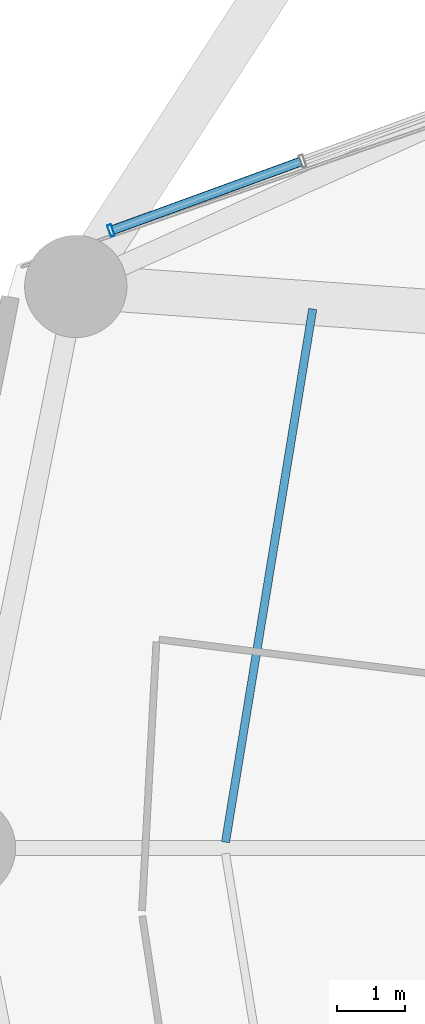
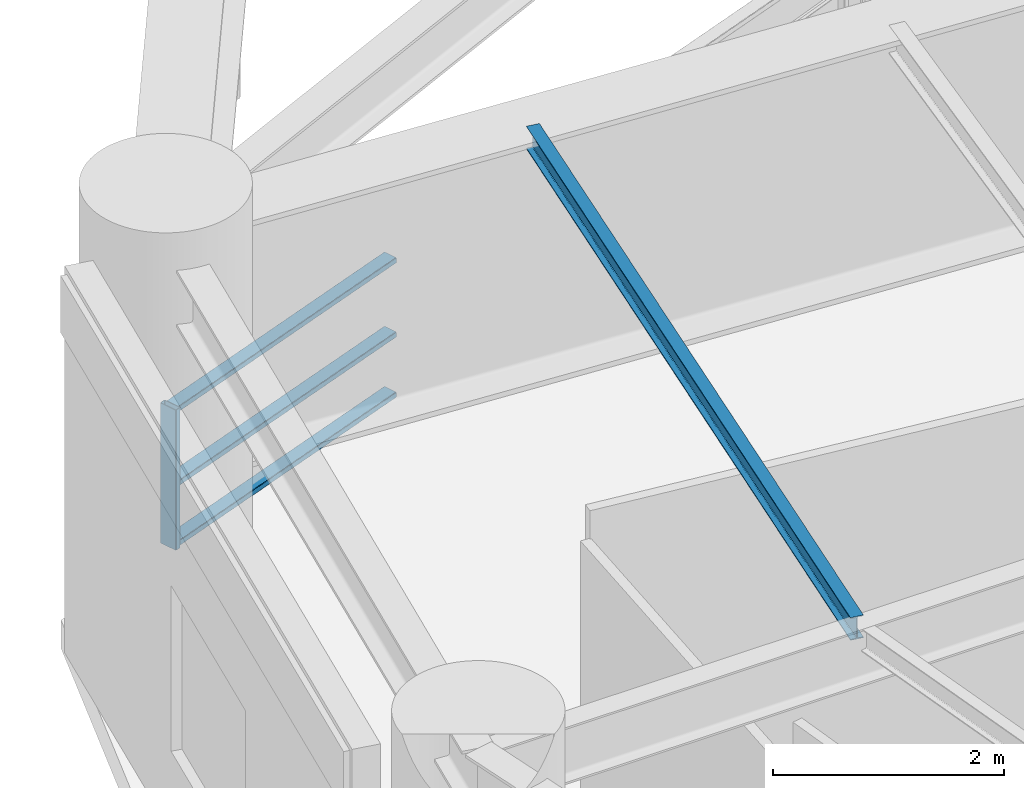
# One storey, part 15 of 53: 4 members, 1 beam, 1 element without a shape of its own.
"""IFC4 building model written with IfcOpenShell, lengths in metres."""

from ifc_helpers import new_model, si_unit, direction, frame, origin, origin_2d, place, context, subcontext, project, spatial, hollow_rectangle, i_section, extrude, material, layer, layer_set, material_profile, profile_set, type_object, element, aggregate, save


model = new_model("IFC4")

# Units and contexts
model_context = context("Model", 3, precision=1e-05, world=origin(), true_north=direction((0.0, 1.0)))
body_context = subcontext(model_context, "Body", "Model", "MODEL_VIEW")
ifc_project = project(units=[si_unit("LENGTHUNIT", "METRE"), si_unit("AREAUNIT", "SQUARE_METRE"), si_unit("VOLUMEUNIT", "CUBIC_METRE"), si_unit("PLANEANGLEUNIT", "RADIAN"), si_unit("MASSUNIT", "GRAM", prefix="KILO")], contexts=[model_context])

# Site, building, storey
site_placement = place(None, origin())
site = spatial("IfcSite", under=ifc_project, at=site_placement, CompositionType="ELEMENT")
building_placement = place(site_placement, origin())
building = spatial("IfcBuilding", under=site, at=building_placement, Name="Kelanora Arch Commons", CompositionType="ELEMENT")
storey_placement = place(building_placement, frame((0.0, 0.0, 9.0)))
storey = spatial("IfcBuildingStorey", under=building, at=storey_placement, Name="L02", CompositionType="ELEMENT", Elevation=9.0)

# Beam
ifc_material_1 = material(Name="Steel S355", Category="steel")
ifc_material_profile_1 = material_profile(ifc_material_1, i_section(OverallWidth=0.1201171875, OverallDepth=0.239990234375, WebThickness=0.006103515625, FlangeThickness=0.009765625, FilletRadius=0.014892578125, at=origin_2d()), Name="IPE240")
ifc_profile_set_1 = profile_set([ifc_material_profile_1], Name="Steel S355")
beam_type = type_object("IfcBeamType", Name="BM-JST-02", PredefinedType="JOIST", material=ifc_profile_set_1)
beam_placement = place(storey_placement, frame((52.02880859375, 65.90478515625, 3.97998046875), z_axis=(-0.161400737199, -0.986888951216, 0.0), x_axis=(0.986888951216, -0.161400737199, 0.0)))
element("IfcBeam", 1, at=beam_placement, inside=storey, type_object=beam_type, Name="Secondary Chord Joist BJC-16 L02", PredefinedType="JOIST", context=body_context, shape_type="SweptSolid", body=[
    extrude(i_section(OverallWidth=0.1201171875, OverallDepth=0.239990234375, WebThickness=0.006103515625, FlangeThickness=0.009765625, FilletRadius=0.014892578125, at=origin_2d()), origin(), (0.0, 0.0, 1.0), 7.9248046875),
])

# Curtain wall, members
ifc_material_2 = material(Name="Terracotta ceramic-fritted low-E glass and aluminium", Category="masonry")
ifc_layer = layer(ifc_material_2, 0.2099609375)
ifc_layer_set = layer_set([ifc_layer], Name="Terracotta ceramic-fritted low-E glass and aluminium")
curtain_wall_type = type_object("IfcCurtainWallType", Name="CW-SYS-04", PredefinedType="NOTDEFINED", material=ifc_layer_set)
curtain_wall_placement = place(storey_placement, origin())
curtain_wall = element("IfcCurtainWall", 2, at=curtain_wall_placement, inside=storey, type_object=curtain_wall_type, Name="Unitised Curtain Wall L02-B07", PredefinedType="NOTDEFINED")
ifc_material_3 = material(Name="Powder-coated aluminium terracotta", Category="masonry")
ifc_material_profile_2 = material_profile(ifc_material_3, hollow_rectangle(XDim=0.179931640625, YDim=0.06005859375, WallThickness=0.0048828125, InnerFilletRadius=0.0048828125, OuterFilletRadius=0.010009765625, at=origin_2d()), Name="CWM180x60")
ifc_profile_set_2 = profile_set([ifc_material_profile_2], Name="Powder-coated aluminium terracotta")
member_type_1 = type_object("IfcMemberType", Name="CWM-HVY", PredefinedType="MULLION", material=ifc_profile_set_2)
member_1_placement = place(storey_placement, frame((49.071044921875, 67.05419921875, 0.0), z_axis=(0.0, 0.0, 1.0), x_axis=(0.342318215206, -0.939584077951, 0.0)))
member_1 = element("IfcMember", 3, at=member_1_placement, type_object=member_type_1, Name="CW-04 mullion 4", PredefinedType="MULLION", context=body_context, shape_type="SweptSolid", body=[
    extrude(hollow_rectangle(XDim=0.179931640625, YDim=0.06005859375, WallThickness=0.0048828125, InnerFilletRadius=0.0048828125, OuterFilletRadius=0.010009765625, at=origin_2d()), origin(), (0.0, 0.0, 1.0), 1.47998046875),
])
ifc_material_profile_3 = material_profile(ifc_material_3, hollow_rectangle(XDim=0.139892578125, YDim=0.06005859375, WallThickness=0.0048828125, InnerFilletRadius=0.0048828125, OuterFilletRadius=0.010009765625, at=origin_2d()), Name="CWT140x60")
ifc_profile_set_3 = profile_set([ifc_material_profile_3], Name="Powder-coated aluminium terracotta")
member_type_2 = type_object("IfcMemberType", Name="CWT-HVY", PredefinedType="USERDEFINED", material=ifc_profile_set_3)
member_2_placement = place(storey_placement, frame((51.85205078125, 68.0673828125, 0.030029296875), z_axis=(-0.939579128074, -0.342331801164, 0.0), x_axis=(0.342331801164, -0.939579128074, 0.0)))
member_2 = element("IfcMember", 4, at=member_2_placement, type_object=member_type_2, Name="CW-04 transom 3.1", ObjectType="TRANSOM", PredefinedType="USERDEFINED", context=body_context, shape_type="SweptSolid", body=[
    extrude(hollow_rectangle(XDim=0.139892578125, YDim=0.06005859375, WallThickness=0.0048828125, InnerFilletRadius=0.0048828125, OuterFilletRadius=0.010009765625, at=origin_2d()), origin(), (0.0, 0.0, 1.0), 2.9296875),
])
member_3_placement = place(storey_placement, frame((51.85205078125, 68.0673828125, 0.666015625), z_axis=(-0.939579128074, -0.342331801164, 0.0), x_axis=(0.342331801164, -0.939579128074, 0.0)))
member_3 = element("IfcMember", 5, at=member_3_placement, type_object=member_type_2, Name="CW-04 transom 3.2", ObjectType="TRANSOM", PredefinedType="USERDEFINED", context=body_context, shape_type="SweptSolid", body=[
    extrude(hollow_rectangle(XDim=0.139892578125, YDim=0.06005859375, WallThickness=0.0048828125, InnerFilletRadius=0.0048828125, OuterFilletRadius=0.010009765625, at=origin_2d()), origin(), (0.0, 0.0, 1.0), 2.9296875),
])
member_4_placement = place(storey_placement, frame((51.85205078125, 68.0673828125, 1.449951171875), z_axis=(-0.939579128074, -0.342331801164, 0.0), x_axis=(0.342331801164, -0.939579128074, 0.0)))
member_4 = element("IfcMember", 6, at=member_4_placement, type_object=member_type_2, Name="CW-04 transom 3.3", ObjectType="TRANSOM", PredefinedType="USERDEFINED", context=body_context, shape_type="SweptSolid", body=[
    extrude(hollow_rectangle(XDim=0.139892578125, YDim=0.06005859375, WallThickness=0.0048828125, InnerFilletRadius=0.0048828125, OuterFilletRadius=0.010009765625, at=origin_2d()), origin(), (0.0, 0.0, 1.0), 2.9296875),
])
aggregate(curtain_wall, [member_1, member_2, member_3, member_4])

save(model, "model.ifc")
